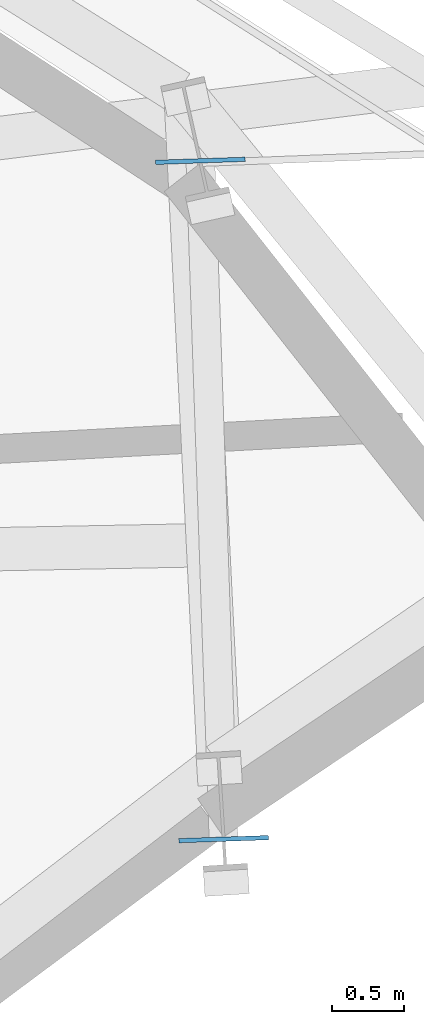
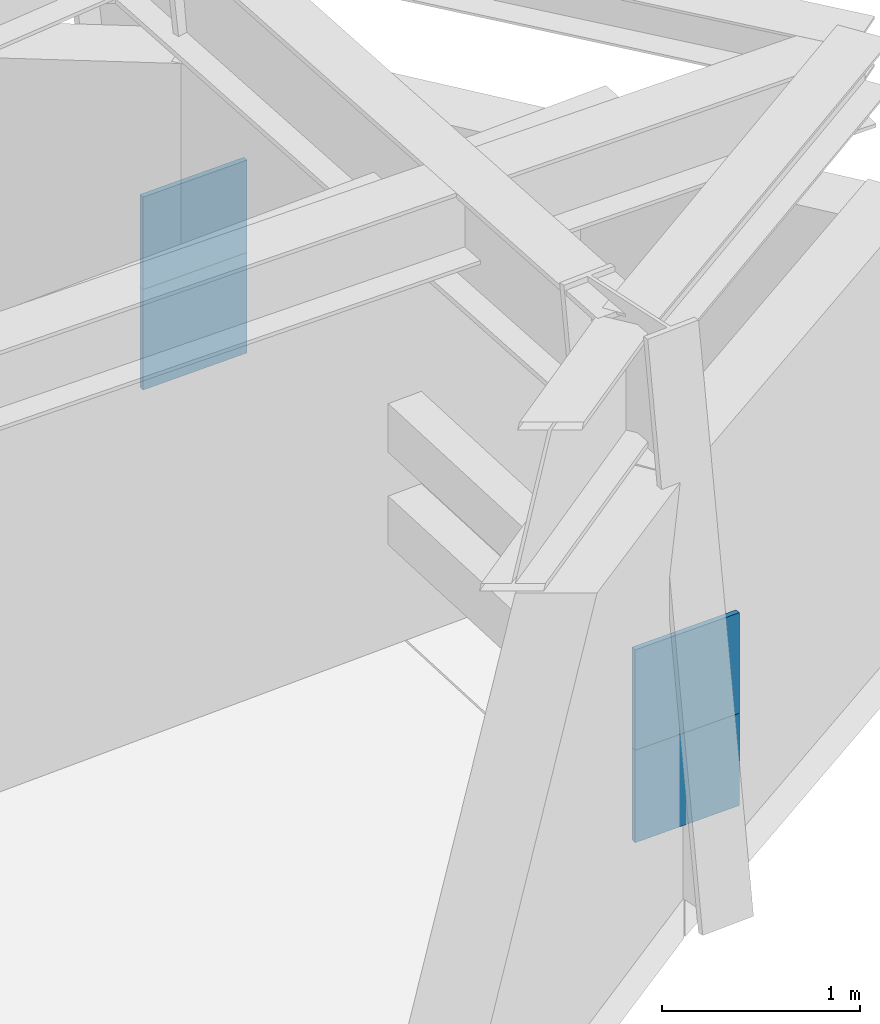
# One storey, part 13 of 20: 4 plates.
"""IFC4 building model written with IfcOpenShell, lengths in metres."""

from ifc_helpers import new_model, si_unit, direction, frame, origin, origin_2d, place, context, subcontext, project, spatial, rectangle, extrude, source, transform, mapped, material, type_object, element, save


model = new_model("IFC4")

# Units and contexts
model_context = context("Model", 3, precision=1e-05, world=origin(), true_north=direction((0.0, 1.0)))
body_context = subcontext(model_context, "Body", "Model", "MODEL_VIEW")
ifc_project = project(units=[si_unit("LENGTHUNIT", "METRE"), si_unit("AREAUNIT", "SQUARE_METRE"), si_unit("VOLUMEUNIT", "CUBIC_METRE"), si_unit("PLANEANGLEUNIT", "RADIAN"), si_unit("MASSUNIT", "GRAM", prefix="KILO")], contexts=[model_context])

# Site, building, storey
site_placement = place(None, origin())
site = spatial("IfcSite", under=ifc_project, at=site_placement, CompositionType="ELEMENT")
building_placement = place(site_placement, origin())
building = spatial("IfcBuilding", under=site, at=building_placement, Name="Olszyna Solenne Hotel", CompositionType="ELEMENT")
storey_placement = place(building_placement, frame((0.0, 0.0, 43.5)))
storey = spatial("IfcBuildingStorey", under=building, at=storey_placement, Name="L10", CompositionType="ELEMENT", Elevation=43.5)

# Plates
ifc_material = material(Name="Steel S460M", Category="steel")
plate_type = type_object("IfcPlateType", Name="GP-CAP2", PredefinedType="USERDEFINED", material=ifc_material)
shared_shape = source(origin(), body_context, "Body", "SweptSolid", [
    extrude(rectangle(XDim=0.030029296875, YDim=0.6201171875, at=origin_2d()), origin(), (0.0, 0.0, 1.0), 0.6201171875),
])
for number, where, z_axis, x_axis, name in (
    (1, (68.867919921875, 25.470703125, 1.0400390625), (0.0, 0.0, 1.0), (-0.034027350502, 0.999420902032, 0.0), "Hollow section end-cap plate GP-CAP2 CP-PR-M-L10-PR1-1"),
    (2, (68.7080078125, 30.167724609375, 1.0400390625), (0.0, 0.0, 1.0), (-0.034027350502, 0.999420902032, 0.0), "Hollow section end-cap plate GP-CAP2 CP-PR-M-L10-PR1-2"),
    (3, (68.867919921875, 25.470703125, 0.469970703125), (0.0, 0.0, 1.0), (-0.034027350502, 0.999420902032, 0.0), "Hollow section end-cap plate GP-CAP2 CP-PR-M-L10-PR2-1"),
    (4, (68.7080078125, 30.167724609375, 0.469970703125), (0.0, 0.0, 1.0), (-0.034027350502, 0.999420902032, 0.0), "Hollow section end-cap plate GP-CAP2 CP-PR-M-L10-PR2-2"),
):
    element("IfcPlate", number, at=place(storey_placement, frame(where, z_axis=z_axis, x_axis=x_axis)), inside=storey, type_object=plate_type, Name=name, ObjectType="GUSSET_PLATE", PredefinedType="USERDEFINED", context=body_context, shape_type="MappedRepresentation", body=[
        mapped(shared_shape, transform((0.0, 0.0, 0.0), x_axis=(1.0, 0.0, 0.0), y_axis=(0.0, 1.0, 0.0), z_axis=(0.0, 0.0, 1.0), scale=1.0)),
    ])

save(model, "model.ifc")
